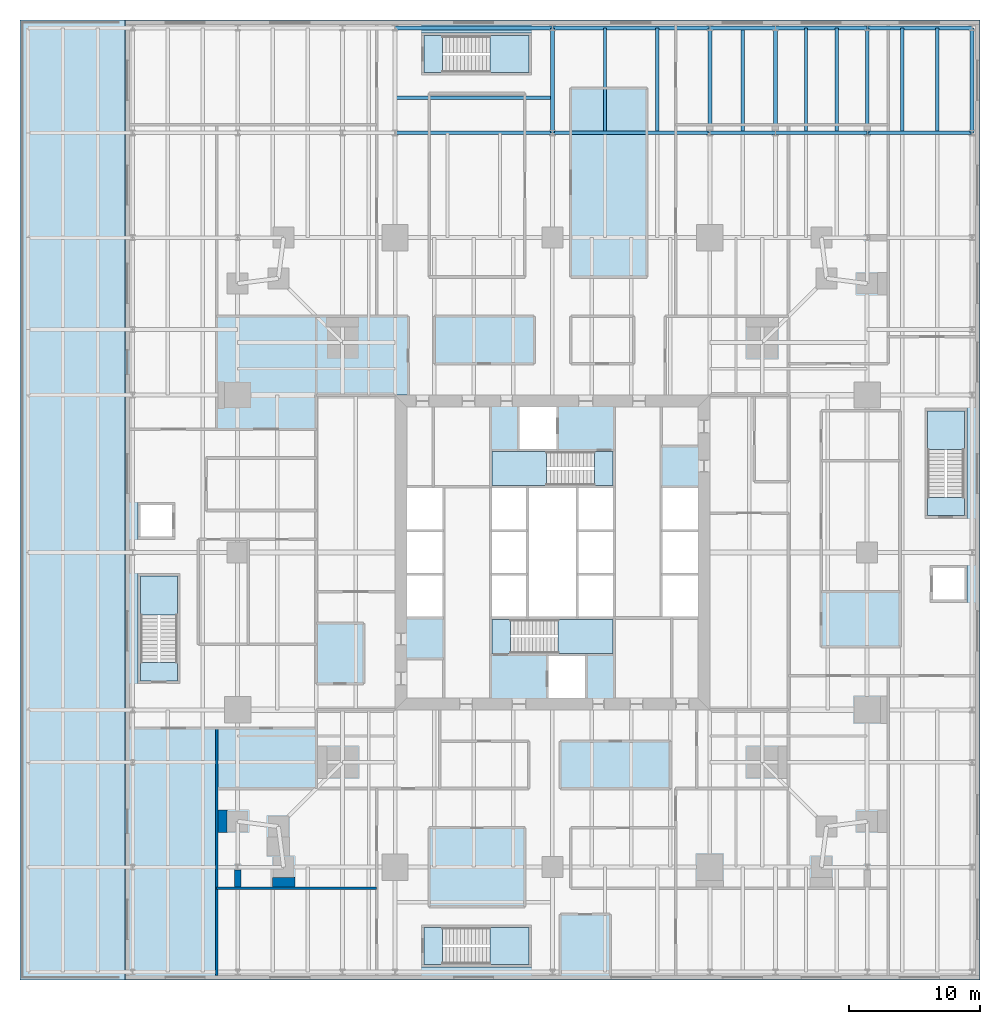
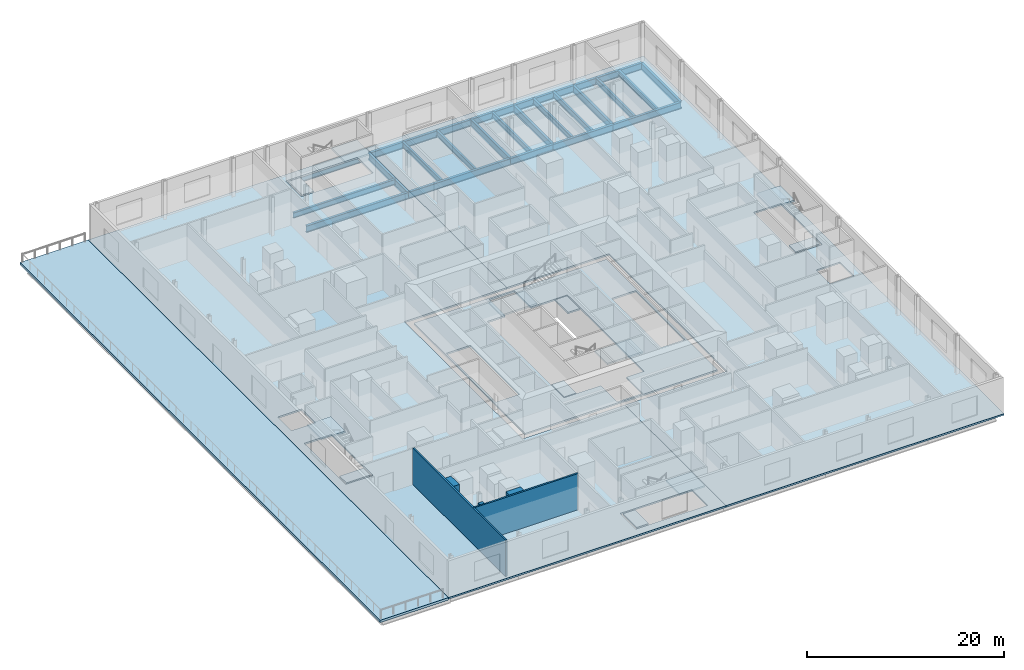
# One storey, part 7 of 17: 23 beams, 16 slabs, 5 walls, 6 elements without a shape of their own.
"""IFC4 building model written with IfcOpenShell, lengths in metres."""

from ifc_helpers import new_model, si_unit, direction, frame, frame_2d, origin, origin_2d, place, context, subcontext, project, spatial, polyline, rectangle, i_section, outline, extrude, material, layer, layer_set, material_profile, profile_set, type_object, element, aggregate, save


model = new_model("IFC4")

# Units and contexts
model_context = context("Model", 3, precision=1e-05, world=origin(), true_north=direction((0.0, 1.0)))
body_context = subcontext(model_context, "Body", "Model", "MODEL_VIEW")
ifc_project = project(units=[si_unit("LENGTHUNIT", "METRE"), si_unit("AREAUNIT", "SQUARE_METRE"), si_unit("VOLUMEUNIT", "CUBIC_METRE"), si_unit("PLANEANGLEUNIT", "RADIAN"), si_unit("MASSUNIT", "GRAM", prefix="KILO")], contexts=[model_context])

# Site, building, storey
site_placement = place(None, origin())
site = spatial("IfcSite", under=ifc_project, at=site_placement, CompositionType="ELEMENT")
building_placement = place(site_placement, origin())
building = spatial("IfcBuilding", under=site, at=building_placement, Name="Fenwick Lantern Interchange", CompositionType="ELEMENT")
storey_placement = place(building_placement, frame((0.0, 0.0, 21.39990234375)))
storey = spatial("IfcBuildingStorey", under=building, at=storey_placement, Name="L04", CompositionType="ELEMENT", Elevation=21.39990234375)

# Beams
ifc_material_1 = material(Name="Steel ASTM A992 Grade 50", Category="steel")
ifc_material_profile_1 = material_profile(ifc_material_1, i_section(OverallWidth=0.2919921875, OverallDepth=0.845703125, WebThickness=0.015380859375, FlangeThickness=0.0244140625, at=origin_2d()), Name="W33X141")
ifc_profile_set_1 = profile_set([ifc_material_profile_1], Name="Steel ASTM A992 Grade 50")
beam_type_1 = type_object("IfcBeamType", Name="MOMENT-CONNECTED PODIUM GIRDER W33X141", PredefinedType="BEAM", material=ifc_profile_set_1)
for number, where, z_axis, x_axis, name in (
    (1, (13.0, 57.0, -0.622802734375), (1.0, 0.0, 0.0), (0.0, 1.0, 0.0), "L04/PF/G039"),
    (2, (25.0, 57.0, -0.622802734375), (1.0, 0.0, 0.0), (0.0, 1.0, 0.0), "L04/PF/G040"),
):
    element("IfcBeam", number, at=place(storey_placement, frame(where, z_axis=z_axis, x_axis=x_axis)), inside=storey, type_object=beam_type_1, Name=name, PredefinedType="BEAM", context=body_context, shape_type="SweptSolid", body=[
        extrude(i_section(OverallWidth=0.2919921875, OverallDepth=0.845703125, WebThickness=0.015380859375, FlangeThickness=0.0244140625, at=origin_2d()), origin(), (0.0, 0.0, 1.0), 12.0),
    ])
beam_1_placement = place(storey_placement, frame((37.0, 57.0, -0.622802734375), z_axis=(1.0, 0.0, 0.0), x_axis=(0.0, 1.0, 0.0)))
element("IfcBeam", 3, at=beam_1_placement, inside=storey, type_object=beam_type_1, Name="L04/PF/G041", PredefinedType="BEAM", context=body_context, shape_type="SweptSolid", body=[
    extrude(i_section(OverallWidth=0.2919921875, OverallDepth=0.845703125, WebThickness=0.015380859375, FlangeThickness=0.0244140625, at=origin_2d()), origin(), (0.0, 0.0, 1.0), 5.0),
])
beam_2_placement = place(storey_placement, frame((42.0, 57.0, -0.622802734375), z_axis=(1.0, 0.0, 0.0), x_axis=(0.0, 1.0, 0.0)))
element("IfcBeam", 4, at=beam_2_placement, inside=storey, type_object=beam_type_1, Name="L04/PF/G042", PredefinedType="BEAM", context=body_context, shape_type="SweptSolid", body=[
    extrude(i_section(OverallWidth=0.2919921875, OverallDepth=0.845703125, WebThickness=0.015380859375, FlangeThickness=0.0244140625, at=origin_2d()), origin(), (0.0, 0.0, 1.0), 7.0),
])
beam_3_placement = place(storey_placement, frame((49.0, 57.0, -0.622802734375), z_axis=(1.0, 0.0, 0.0), x_axis=(0.0, 1.0, 0.0)))
element("IfcBeam", 5, at=beam_3_placement, inside=storey, type_object=beam_type_1, Name="L04/PF/G043", PredefinedType="BEAM", context=body_context, shape_type="SweptSolid", body=[
    extrude(i_section(OverallWidth=0.2919921875, OverallDepth=0.845703125, WebThickness=0.015380859375, FlangeThickness=0.0244140625, at=origin_2d()), origin(), (0.0, 0.0, 1.0), 8.0),
])
for number, where, z_axis, x_axis, name in (
    (6, (13.0, 65.0, -0.622802734375), (1.0, 0.0, 0.0), (0.0, 1.0, 0.0), "L04/PF/G048"),
    (7, (25.0, 65.0, -0.622802734375), (1.0, 0.0, 0.0), (0.0, 1.0, 0.0), "L04/PF/G049"),
):
    element("IfcBeam", number, at=place(storey_placement, frame(where, z_axis=z_axis, x_axis=x_axis)), inside=storey, type_object=beam_type_1, Name=name, PredefinedType="BEAM", context=body_context, shape_type="SweptSolid", body=[
        extrude(i_section(OverallWidth=0.2919921875, OverallDepth=0.845703125, WebThickness=0.015380859375, FlangeThickness=0.0244140625, at=origin_2d()), origin(), (0.0, 0.0, 1.0), 12.0),
    ])
beam_4_placement = place(storey_placement, frame((37.0, 65.0, -0.622802734375), z_axis=(1.0, 0.0, 0.0), x_axis=(0.0, 1.0, 0.0)))
element("IfcBeam", 8, at=beam_4_placement, inside=storey, type_object=beam_type_1, Name="L04/PF/G050", PredefinedType="BEAM", context=body_context, shape_type="SweptSolid", body=[
    extrude(i_section(OverallWidth=0.2919921875, OverallDepth=0.845703125, WebThickness=0.015380859375, FlangeThickness=0.0244140625, at=origin_2d()), origin(), (0.0, 0.0, 1.0), 5.0),
])
beam_5_placement = place(storey_placement, frame((42.0, 65.0, -0.622802734375), z_axis=(1.0, 0.0, 0.0), x_axis=(0.0, 1.0, 0.0)))
element("IfcBeam", 9, at=beam_5_placement, inside=storey, type_object=beam_type_1, Name="L04/PF/G051", PredefinedType="BEAM", context=body_context, shape_type="SweptSolid", body=[
    extrude(i_section(OverallWidth=0.2919921875, OverallDepth=0.845703125, WebThickness=0.015380859375, FlangeThickness=0.0244140625, at=origin_2d()), origin(), (0.0, 0.0, 1.0), 7.0),
])
for number, where, z_axis, x_axis, name in (
    (10, (49.0, 65.0, -0.622802734375), (1.0, 0.0, 0.0), (0.0, 1.0, 0.0), "L04/PF/G052"),
    (11, (25.0, 57.0, -0.622802734375), (0.0, 1.0, 0.0), (-1.0, 0.0, 0.0), "L04/PF/G084"),
    (12, (37.0, 57.0, -0.622802734375), (0.0, 1.0, 0.0), (-1.0, 0.0, 0.0), "L04/PF/G087"),
    (13, (42.0, 57.0, -0.622802734375), (0.0, 1.0, 0.0), (-1.0, 0.0, 0.0), "L04/PF/G090"),
    (14, (49.0, 57.0, -0.622802734375), (0.0, 1.0, 0.0), (-1.0, 0.0, 0.0), "L04/PF/G095"),
    (15, (57.0, 57.0, -0.622802734375), (0.0, 1.0, 0.0), (-1.0, 0.0, 0.0), "L04/PF/G104"),
):
    element("IfcBeam", number, at=place(storey_placement, frame(where, z_axis=z_axis, x_axis=x_axis)), inside=storey, type_object=beam_type_1, Name=name, PredefinedType="BEAM", context=body_context, shape_type="SweptSolid", body=[
        extrude(i_section(OverallWidth=0.2919921875, OverallDepth=0.845703125, WebThickness=0.015380859375, FlangeThickness=0.0244140625, at=origin_2d()), origin(), (0.0, 0.0, 1.0), 8.0),
    ])
ifc_material_profile_2 = material_profile(ifc_material_1, i_section(OverallWidth=0.25390625, OverallDepth=0.683349609375, WebThickness=0.012451171875, FlangeThickness=0.01904296875, at=origin_2d()), Name="W27X94")
ifc_profile_set_2 = profile_set([ifc_material_profile_2], Name="Steel ASTM A992 Grade 50")
beam_type_2 = type_object("IfcBeamType", Name="PODIUM BEAM W27X94", PredefinedType="JOIST", material=ifc_profile_set_2)
beam_6_placement = place(storey_placement, frame((13.0, 59.666748046875, -0.54150390625), z_axis=(1.0, 0.0, 0.0), x_axis=(0.0, 1.0, 0.0)))
element("IfcBeam", 16, at=beam_6_placement, inside=storey, type_object=beam_type_2, Name="L04/PF/J151", PredefinedType="JOIST", context=body_context, shape_type="SweptSolid", body=[
    extrude(i_section(OverallWidth=0.25390625, OverallDepth=0.683349609375, WebThickness=0.012451171875, FlangeThickness=0.01904296875, at=origin_2d()), origin(), (0.0, 0.0, 1.0), 12.0),
])
for number, where, z_axis, x_axis, name in (
    (17, (29.0, 57.14599609375, -0.54150390625), (0.0, 1.0, 0.0), (-1.0, 0.0, 0.0), "L04/PF/J156"),
    (18, (33.0, 57.14599609375, -0.54150390625), (0.0, 1.0, 0.0), (-1.0, 0.0, 0.0), "L04/PF/J157"),
    (19, (39.5, 57.14599609375, -0.54150390625), (0.0, 1.0, 0.0), (-1.0, 0.0, 0.0), "L04/PF/J160"),
    (20, (44.333251953125, 57.14599609375, -0.54150390625), (0.0, 1.0, 0.0), (-1.0, 0.0, 0.0), "L04/PF/J165"),
    (21, (46.666748046875, 57.14599609375, -0.54150390625), (0.0, 1.0, 0.0), (-1.0, 0.0, 0.0), "L04/PF/J166"),
    (22, (51.666748046875, 57.14599609375, -0.54150390625), (0.0, 1.0, 0.0), (-1.0, 0.0, 0.0), "L04/PF/J181"),
    (23, (54.333251953125, 57.14599609375, -0.54150390625), (0.0, 1.0, 0.0), (-1.0, 0.0, 0.0), "L04/PF/J182"),
):
    element("IfcBeam", number, at=place(storey_placement, frame(where, z_axis=z_axis, x_axis=x_axis)), inside=storey, type_object=beam_type_2, Name=name, PredefinedType="JOIST", context=body_context, shape_type="SweptSolid", body=[
        extrude(i_section(OverallWidth=0.25390625, OverallDepth=0.683349609375, WebThickness=0.012451171875, FlangeThickness=0.01904296875, at=origin_2d()), origin(), (0.0, 0.0, 1.0), 7.85400390625),
    ])

# Slabs
ifc_material_2 = material(Name="Concrete f'c 35 MPa", Category="concrete")
ifc_layer_1 = layer(ifc_material_2, 0.199951171875)
ifc_layer_set_1 = layer_set([ifc_layer_1], Name="CORE FLOOR SLAB 200")
slab_type_1 = type_object("IfcSlabType", Name="CORE FLOOR SLAB 200", PredefinedType="FLOOR", material=ifc_layer_set_1)
slab_1_placement = place(storey_placement, frame((0.0, 0.0, -0.199951171875)))
element("IfcSlab", 24, at=slab_1_placement, inside=storey, type_object=slab_type_1, Name="L04/SLAB/CORE", PredefinedType="FLOOR", context=body_context, shape_type="SweptSolid", body=[
    extrude(outline(polyline([(13.699951171875, 36.300048828125), (36.300048828125, 36.300048828125), (36.300048828125, 13.699951171875), (13.699951171875, 13.699951171875), (13.699951171875, 36.300048828125)]), holes=[polyline([(13.89990234375, 20.0), (16.699951171875, 20.0), (16.699951171875, 23.333251953125), (16.699951171875, 26.666748046875), (16.699951171875, 30.0), (13.89990234375, 30.0), (13.89990234375, 26.666748046875), (13.89990234375, 23.333251953125), (13.89990234375, 20.0)]), polyline([(20.300048828125, 20.0), (20.300048828125, 17.199951171875), (24.60009765625, 17.199951171875), (24.60009765625, 13.89990234375), (27.60009765625, 13.89990234375), (27.60009765625, 17.199951171875), (29.699951171875, 17.199951171875), (29.699951171875, 20.0), (29.699951171875, 23.333251953125), (29.699951171875, 26.666748046875), (29.699951171875, 30.0), (29.699951171875, 32.800048828125), (25.39990234375, 32.800048828125), (25.39990234375, 36.10009765625), (22.39990234375, 36.10009765625), (22.39990234375, 32.800048828125), (20.300048828125, 32.800048828125), (20.300048828125, 30.0), (20.300048828125, 26.666748046875), (20.300048828125, 23.333251953125), (20.300048828125, 20.0)]), polyline([(33.300048828125, 23.333251953125), (33.300048828125, 20.0), (36.10009765625, 20.0), (36.10009765625, 23.333251953125), (36.10009765625, 26.666748046875), (36.10009765625, 30.0), (33.300048828125, 30.0), (33.300048828125, 26.666748046875), (33.300048828125, 23.333251953125)])]), origin(), (0.0, 0.0, 1.0), 0.199951171875),
])
ifc_material_3 = material(Name="Concrete f'c 35 MPa", Category="concrete")
ifc_layer_2 = layer(ifc_material_3, 0.199951171875)
ifc_layer_set_2 = layer_set([ifc_layer_2], Name="Concrete f'c 35 MPa")
slab_type_2 = type_object("IfcSlabType", Name="FLOOR SLAB 200", PredefinedType="FLOOR", material=ifc_layer_set_2)
slab_2_placement = place(storey_placement, frame((0.0, 0.0, -0.199951171875)))
element("IfcSlab", 25, at=slab_2_placement, inside=storey, type_object=slab_type_2, Name="L04/SLAB/FW", PredefinedType="FLOOR", context=body_context, shape_type="SweptSolid", body=[
    extrude(outline(polyline([(-7.60009765625, -7.60009765625), (-7.60009765625, 65.60009765625), (25.0, 65.60009765625), (25.0, 37.0), (13.0, 37.0), (13.0, 13.0), (25.0, 13.0), (25.0, -7.60009765625), (-7.60009765625, -7.60009765625)]), holes=[polyline([(23.39990234375, 61.39990234375), (23.39990234375, 64.60009765625), (15.0, 64.60009765625), (15.0, 61.39990234375), (23.39990234375, 61.39990234375)]), polyline([(23.39990234375, -6.60009765625), (23.39990234375, -3.39990234375), (15.0, -3.39990234375), (15.0, -6.60009765625), (23.39990234375, -6.60009765625)]), polyline([(-3.39990234375, 15.0), (-3.39990234375, 23.39990234375), (-6.60009765625, 23.39990234375), (-6.60009765625, 15.0), (-3.39990234375, 15.0)]), polyline([(-3.800048828125, 26.0), (-3.800048828125, 28.800048828125), (-6.60009765625, 28.800048828125), (-6.60009765625, 26.0), (-3.800048828125, 26.0)])]), origin(), (0.0, 0.0, 1.0), 0.199951171875),
])
slab_3_placement = place(storey_placement, frame((0.0, 0.0, -0.199951171875)))
element("IfcSlab", 26, at=slab_3_placement, inside=storey, type_object=slab_type_2, Name="L04/SLAB/FE", PredefinedType="FLOOR", context=body_context, shape_type="SweptSolid", body=[
    extrude(outline(polyline([(57.60009765625, 65.60009765625), (57.60009765625, -7.60009765625), (25.0, -7.60009765625), (25.0, 13.0), (37.0, 13.0), (37.0, 37.0), (25.0, 37.0), (25.0, 65.60009765625), (57.60009765625, 65.60009765625)]), holes=[polyline([(56.60009765625, 27.60009765625), (56.60009765625, 36.0), (53.39990234375, 36.0), (53.39990234375, 27.60009765625), (56.60009765625, 27.60009765625)]), polyline([(56.60009765625, 21.199951171875), (56.60009765625, 24.0), (53.800048828125, 24.0), (53.800048828125, 21.199951171875), (56.60009765625, 21.199951171875)])]), origin(), (0.0, 0.0, 1.0), 0.199951171875),
])

# Stair, slabs
ifc_material_4 = material(Name="Precast concrete f'c 35 MPa", Category="concrete")
stair_type_1 = type_object("IfcStairType", Name="EXIT STAIR 1200", PredefinedType="HALF_TURN_STAIR", material=ifc_material_4)
stair_1_placement = place(storey_placement, origin())
stair_1 = element("IfcStair", 27, at=stair_1_placement, inside=storey, type_object=stair_type_1, Name="Exit stair ST1", PredefinedType="HALF_TURN_STAIR")
ifc_layer_3 = layer(ifc_material_2, 0.199951171875)
ifc_layer_set_3 = layer_set([ifc_layer_3], Name="STAIR LANDING 200")
slab_type_3 = type_object("IfcSlabType", Name="STAIR LANDING 200", PredefinedType="LANDING", material=ifc_layer_set_3)
slab_4_placement = place(storey_placement, frame((0.0, 0.0, 2.2001953125)))
slab_4 = element("IfcSlab", 28, at=slab_4_placement, type_object=slab_type_3, Name="ST1 landing 1", PredefinedType="LANDING", context=body_context, shape_type="SweptSolid", body=[
    extrude(outline(polyline([(25.43994140625, 17.300048828125), (29.60009765625, 17.300048828125), (29.60009765625, 19.89990234375), (25.43994140625, 19.89990234375), (25.43994140625, 17.300048828125)])), origin(), (0.0, 0.0, 1.0), 0.199951171875),
])
slab_5_placement = place(storey_placement, frame((0.0, 0.0, -0.199951171875)))
slab_5 = element("IfcSlab", 29, at=slab_5_placement, type_object=slab_type_3, Name="ST1 landing 2", PredefinedType="LANDING", context=body_context, shape_type="SweptSolid", body=[
    extrude(outline(polyline([(20.39990234375, 17.300048828125), (21.800048828125, 17.300048828125), (21.800048828125, 19.89990234375), (20.39990234375, 19.89990234375), (20.39990234375, 17.300048828125)])), origin(), (0.0, 0.0, 1.0), 0.199951171875),
])
aggregate(stair_1, [slab_4, slab_5])

stair_2_placement = place(storey_placement, origin())
stair_2 = element("IfcStair", 30, at=stair_2_placement, inside=storey, type_object=stair_type_1, Name="Exit stair ST2", PredefinedType="HALF_TURN_STAIR")
slab_6_placement = place(storey_placement, frame((0.0, 0.0, 2.2001953125)))
slab_6 = element("IfcSlab", 31, at=slab_6_placement, type_object=slab_type_3, Name="ST2 landing 1", PredefinedType="LANDING", context=body_context, shape_type="SweptSolid", body=[
    extrude(outline(polyline([(24.56005859375, 32.699951171875), (20.39990234375, 32.699951171875), (20.39990234375, 30.10009765625), (24.56005859375, 30.10009765625), (24.56005859375, 32.699951171875)])), origin(), (0.0, 0.0, 1.0), 0.199951171875),
])
slab_7_placement = place(storey_placement, frame((0.0, 0.0, -0.199951171875)))
slab_7 = element("IfcSlab", 32, at=slab_7_placement, type_object=slab_type_3, Name="ST2 landing 2", PredefinedType="LANDING", context=body_context, shape_type="SweptSolid", body=[
    extrude(outline(polyline([(29.60009765625, 32.699951171875), (28.199951171875, 32.699951171875), (28.199951171875, 30.10009765625), (29.60009765625, 30.10009765625), (29.60009765625, 32.699951171875)])), origin(), (0.0, 0.0, 1.0), 0.199951171875),
])
aggregate(stair_2, [slab_6, slab_7])

stair_type_2 = type_object("IfcStairType", Name="EXIT STAIR 1300", PredefinedType="HALF_TURN_STAIR", material=ifc_material_4)
stair_3_placement = place(storey_placement, origin())
stair_3 = element("IfcStair", 33, at=stair_3_placement, inside=storey, type_object=stair_type_2, Name="Exit stair PS1", PredefinedType="HALF_TURN_STAIR")
slab_8_placement = place(storey_placement, frame((0.0, 0.0, 2.2001953125)))
slab_8 = element("IfcSlab", 34, at=slab_8_placement, type_object=slab_type_3, Name="PS1 landing 1", PredefinedType="LANDING", context=body_context, shape_type="SweptSolid", body=[
    extrude(outline(polyline([(20.239990234375, 61.60009765625), (23.199951171875, 61.60009765625), (23.199951171875, 64.39990234375), (20.239990234375, 64.39990234375), (20.239990234375, 61.60009765625)])), origin(), (0.0, 0.0, 1.0), 0.199951171875),
])
slab_9_placement = place(storey_placement, frame((0.0, 0.0, -0.199951171875)))
slab_9 = element("IfcSlab", 35, at=slab_9_placement, type_object=slab_type_3, Name="PS1 landing 2", PredefinedType="LANDING", context=body_context, shape_type="SweptSolid", body=[
    extrude(outline(polyline([(15.199951171875, 61.60009765625), (16.60009765625, 61.60009765625), (16.60009765625, 64.39990234375), (15.199951171875, 64.39990234375), (15.199951171875, 61.60009765625)])), origin(), (0.0, 0.0, 1.0), 0.199951171875),
])
aggregate(stair_3, [slab_8, slab_9])

stair_4_placement = place(storey_placement, origin())
stair_4 = element("IfcStair", 36, at=stair_4_placement, inside=storey, type_object=stair_type_2, Name="Exit stair PS2", PredefinedType="HALF_TURN_STAIR")
slab_10_placement = place(storey_placement, frame((0.0, 0.0, 2.2001953125)))
slab_10 = element("IfcSlab", 37, at=slab_10_placement, type_object=slab_type_3, Name="PS2 landing 1", PredefinedType="LANDING", context=body_context, shape_type="SweptSolid", body=[
    extrude(outline(polyline([(20.239990234375, -6.39990234375), (23.199951171875, -6.39990234375), (23.199951171875, -3.60009765625), (20.239990234375, -3.60009765625), (20.239990234375, -6.39990234375)])), origin(), (0.0, 0.0, 1.0), 0.199951171875),
])
slab_11_placement = place(storey_placement, frame((0.0, 0.0, -0.199951171875)))
slab_11 = element("IfcSlab", 38, at=slab_11_placement, type_object=slab_type_3, Name="PS2 landing 2", PredefinedType="LANDING", context=body_context, shape_type="SweptSolid", body=[
    extrude(outline(polyline([(15.199951171875, -6.39990234375), (16.60009765625, -6.39990234375), (16.60009765625, -3.60009765625), (15.199951171875, -3.60009765625), (15.199951171875, -6.39990234375)])), origin(), (0.0, 0.0, 1.0), 0.199951171875),
])
aggregate(stair_4, [slab_10, slab_11])

stair_5_placement = place(storey_placement, origin())
stair_5 = element("IfcStair", 39, at=stair_5_placement, inside=storey, type_object=stair_type_2, Name="Exit stair PS3", PredefinedType="HALF_TURN_STAIR")
slab_12_placement = place(storey_placement, frame((0.0, 0.0, 2.2001953125)))
slab_12 = element("IfcSlab", 40, at=slab_12_placement, type_object=slab_type_3, Name="PS3 landing 1", PredefinedType="LANDING", context=body_context, shape_type="SweptSolid", body=[
    extrude(outline(polyline([(-6.39990234375, 20.239990234375), (-3.60009765625, 20.239990234375), (-3.60009765625, 23.199951171875), (-6.39990234375, 23.199951171875), (-6.39990234375, 20.239990234375)])), origin(), (0.0, 0.0, 1.0), 0.199951171875),
])
slab_13_placement = place(storey_placement, frame((0.0, 0.0, -0.199951171875)))
slab_13 = element("IfcSlab", 41, at=slab_13_placement, type_object=slab_type_3, Name="PS3 landing 2", PredefinedType="LANDING", context=body_context, shape_type="SweptSolid", body=[
    extrude(outline(polyline([(-6.39990234375, 15.199951171875), (-3.60009765625, 15.199951171875), (-3.60009765625, 16.60009765625), (-6.39990234375, 16.60009765625), (-6.39990234375, 15.199951171875)])), origin(), (0.0, 0.0, 1.0), 0.199951171875),
])
aggregate(stair_5, [slab_12, slab_13])

stair_6_placement = place(storey_placement, origin())
stair_6 = element("IfcStair", 42, at=stair_6_placement, inside=storey, type_object=stair_type_2, Name="Exit stair PS4", PredefinedType="HALF_TURN_STAIR")
slab_14_placement = place(storey_placement, frame((0.0, 0.0, 2.2001953125)))
slab_14 = element("IfcSlab", 43, at=slab_14_placement, type_object=slab_type_3, Name="PS4 landing 1", PredefinedType="LANDING", context=body_context, shape_type="SweptSolid", body=[
    extrude(outline(polyline([(53.60009765625, 32.840087890625), (56.39990234375, 32.840087890625), (56.39990234375, 35.800048828125), (53.60009765625, 35.800048828125), (53.60009765625, 32.840087890625)])), origin(), (0.0, 0.0, 1.0), 0.199951171875),
])
slab_15_placement = place(storey_placement, frame((0.0, 0.0, -0.199951171875)))
slab_15 = element("IfcSlab", 44, at=slab_15_placement, type_object=slab_type_3, Name="PS4 landing 2", PredefinedType="LANDING", context=body_context, shape_type="SweptSolid", body=[
    extrude(outline(polyline([(53.60009765625, 27.800048828125), (56.39990234375, 27.800048828125), (56.39990234375, 29.199951171875), (53.60009765625, 29.199951171875), (53.60009765625, 27.800048828125)])), origin(), (0.0, 0.0, 1.0), 0.199951171875),
])
aggregate(stair_6, [slab_14, slab_15])

# Slab
ifc_layer_4 = layer(ifc_material_3, 0.300048828125)
ifc_layer_set_4 = layer_set([ifc_layer_4], Name="Concrete f'c 35 MPa")
slab_type_4 = type_object("IfcSlabType", Name="TERRACE SLAB 300", PredefinedType="FLOOR", material=ifc_layer_set_4)
slab_16_placement = place(storey_placement, frame((0.0, 0.0, -0.2998046875)))
element("IfcSlab", 45, at=slab_16_placement, inside=storey, type_object=slab_type_4, Name="L04/SLAB/T1", PredefinedType="FLOOR", context=body_context, shape_type="SweptSolid", body=[
    extrude(outline(polyline([(-15.60009765625, 65.60009765625), (-7.60009765625, 65.60009765625), (-7.60009765625, -7.60009765625), (-15.60009765625, -7.60009765625), (-15.60009765625, 65.60009765625)])), origin(), (0.0, 0.0, 1.0), 0.2998046875),
])

# Walls
ifc_material_5 = material(Name="Fire-rated gypsum board encasement on steel studs, 2 hour", Category="steel")
ifc_layer_5 = layer(ifc_material_5, 1.699951171875)
ifc_layer_set_5 = layer_set([ifc_layer_5], Name="COLUMN PIER 1700")
wall_type_1 = type_object("IfcWallType", Name="COLUMN PIER 1700", PredefinedType="PARTITIONING", material=ifc_layer_set_5)
for number, where, z_axis, x_axis, name in (
    (46, (4.5, -0.5, 0.0), (0.0, 0.0, 1.0), (0.0, 1.0, 0.0), "L04/W/PIER/CS1"),
    (47, (-0.5, 4.5, 0.0), (0.0, 0.0, 1.0), (1.0, 0.0, 0.0), "L04/W/PIER/CW5"),
):
    element("IfcWall", number, at=place(storey_placement, frame(where, z_axis=z_axis, x_axis=x_axis)), inside=storey, type_object=wall_type_1, Name=name, PredefinedType="PARTITIONING", context=body_context, shape_type="SweptSolid", body=[
        extrude(rectangle(XDim=0.699951171875, YDim=1.699951171875, at=frame_2d((0.35009765625, 0.0))), origin(), (0.0, 0.0, 1.0), 4.5),
    ])
ifc_layer_6 = layer(ifc_material_5, 0.506103515625)
ifc_layer_set_6 = layer_set([ifc_layer_6], Name="COLUMN PIER 506")
wall_type_2 = type_object("IfcWallType", Name="COLUMN PIER 506", PredefinedType="PARTITIONING", material=ifc_layer_set_6)
wall_1_placement = place(storey_placement, frame((1.0, -0.5, 0.0), z_axis=(0.0, 0.0, 1.0), x_axis=(0.0, 1.0, 0.0)))
element("IfcWall", 48, at=wall_1_placement, inside=storey, type_object=wall_type_2, Name="L04/W/PIER/PC3", PredefinedType="PARTITIONING", context=body_context, shape_type="SweptSolid", body=[
    extrude(rectangle(XDim=1.291748046875, YDim=0.506103515625, at=frame_2d((0.64599609375, 0.0))), origin(), (0.0, 0.0, 1.0), 3.75439453125),
])
ifc_material_6 = material(Name="Gypsum board on steel studs, 1 hour", Category="steel")
ifc_layer_7 = layer(ifc_material_6, 0.199951171875)
ifc_layer_set_7 = layer_set([ifc_layer_7], Name="ROOM WALL 200")
wall_type_3 = type_object("IfcWallType", Name="ROOM WALL 200", PredefinedType="PARTITIONING", material=ifc_layer_set_7)
wall_2_placement = place(storey_placement, frame((-0.60009765625, -7.25, 0.0), z_axis=(0.0, 0.0, 1.0), x_axis=(0.0, 1.0, 0.0)))
element("IfcWall", 49, at=wall_2_placement, inside=storey, type_object=wall_type_3, Name="L04/W/POD/X-0.6-1", PredefinedType="PARTITIONING", context=body_context, shape_type="SweptSolid", body=[
    extrude(rectangle(XDim=18.85009765625, YDim=0.199951171875, at=frame_2d((9.425048828125, 0.0))), origin(), (0.0, 0.0, 1.0), 4.5),
])
wall_3_placement = place(storey_placement, frame((-0.60009765625, -0.60009765625, 0.0), z_axis=(0.0, 0.0, 1.0), x_axis=(1.0, 0.0, 0.0)))
element("IfcWall", 50, at=wall_3_placement, inside=storey, type_object=wall_type_3, Name="L04/W/POD/Y-0.6-1", PredefinedType="PARTITIONING", context=body_context, shape_type="SweptSolid", body=[
    extrude(rectangle(XDim=12.2001953125, YDim=0.199951171875, at=frame_2d((6.10009765625, 0.0))), origin(), (0.0, 0.0, 1.0), 4.5),
])

save(model, "model.ifc")
